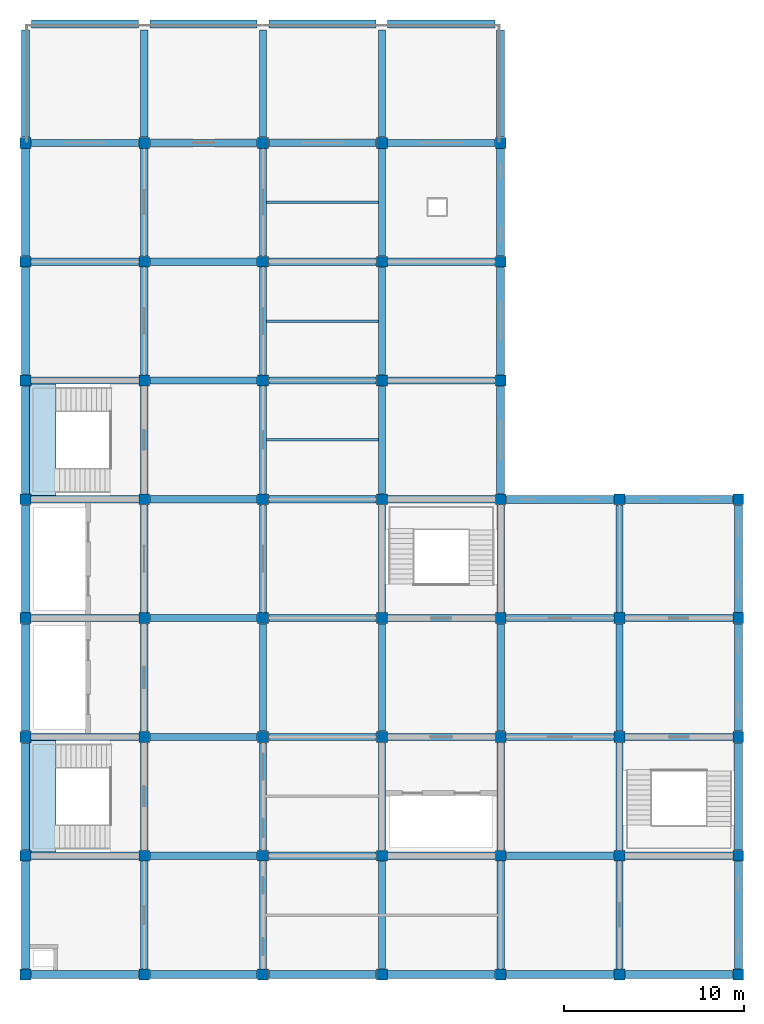
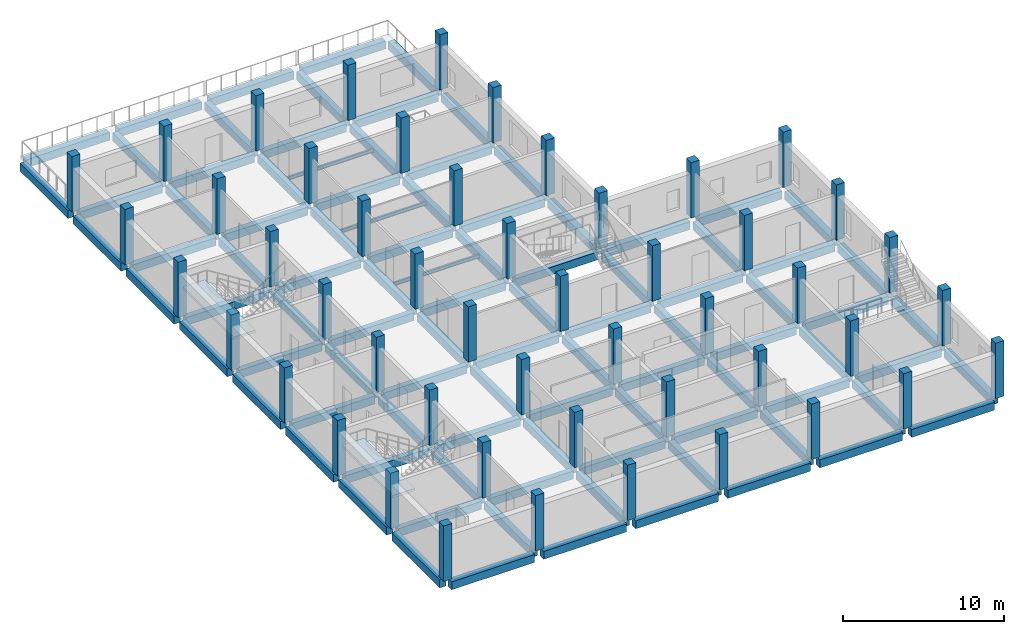
# One storey, part 1 of 7: 97 beams, 50 columns, 2 slabs, 2 elements without a shape of their own.
"""IFC4 building model written with IfcOpenShell, lengths in metres."""

from ifc_helpers import new_model, si_unit, direction, frame, origin, origin_2d, place, context, subcontext, project, spatial, polyline, rectangle, i_section, outline, extrude, material, layer, layer_set, material_profile, profile_set, type_object, element, aggregate, save


model = new_model("IFC4")

# Units and contexts
model_context = context("Model", 3, precision=1e-05, world=origin(), true_north=direction((0.0, 1.0)))
body_context = subcontext(model_context, "Body", "Model", "MODEL_VIEW")
ifc_project = project(units=[si_unit("LENGTHUNIT", "METRE"), si_unit("AREAUNIT", "SQUARE_METRE"), si_unit("VOLUMEUNIT", "CUBIC_METRE"), si_unit("PLANEANGLEUNIT", "RADIAN"), si_unit("MASSUNIT", "GRAM", prefix="KILO")], contexts=[model_context])

# Site, building, storey
site_placement = place(None, origin())
site = spatial("IfcSite", under=ifc_project, at=site_placement, CompositionType="ELEMENT")
building_placement = place(site_placement, origin())
building = spatial("IfcBuilding", under=site, at=building_placement, Name="Rusizi Kubbe Research Institute", CompositionType="ELEMENT")
storey_placement = place(building_placement, frame((0.0, 0.0, 64.800048828125)))
storey = spatial("IfcBuildingStorey", under=building, at=storey_placement, Name="L15", CompositionType="ELEMENT", Elevation=64.800048828125)

# Columns
ifc_material_1 = material(Name="Concrete C40/50", Category="concrete")
ifc_material_profile_1 = material_profile(ifc_material_1, rectangle(XDim=0.60009765625, YDim=0.60009765625, at=origin_2d()), Name="RC600x600")
ifc_profile_set_1 = profile_set([ifc_material_profile_1], Name="Concrete C40/50")
column_type = type_object("IfcColumnType", Name="COL-600", PredefinedType="COLUMN", material=ifc_profile_set_1)
for number, where, z_axis, x_axis, name in (
    (1, (0.0, 0.0, 0.0), (0.0, 0.0, 1.0), (1.0, 0.0, 0.0), "Column 1A L15"),
    (2, (0.0, 6.60009765625, 0.0), (0.0, 0.0, 1.0), (1.0, 0.0, 0.0), "Column 1B L15"),
    (3, (0.0, 13.199951171875, 0.0), (0.0, 0.0, 1.0), (1.0, 0.0, 0.0), "Column 1C L15"),
    (4, (0.0, 19.800048828125, 0.0), (0.0, 0.0, 1.0), (1.0, 0.0, 0.0), "Column 1D L15"),
    (5, (0.0, 26.39990234375, 0.0), (0.0, 0.0, 1.0), (1.0, 0.0, 0.0), "Column 1E L15"),
    (6, (0.0, 33.0, 0.0), (0.0, 0.0, 1.0), (1.0, 0.0, 0.0), "Column 1F L15"),
    (7, (0.0, 39.60009765625, 0.0), (0.0, 0.0, 1.0), (1.0, 0.0, 0.0), "Column 1G L15"),
    (8, (0.0, 46.199951171875, 0.0), (0.0, 0.0, 1.0), (1.0, 0.0, 0.0), "Column 1H L15"),
    (9, (6.60009765625, 0.0, 0.0), (0.0, 0.0, 1.0), (1.0, 0.0, 0.0), "Column 2A L15"),
    (10, (6.60009765625, 6.60009765625, 0.0), (0.0, 0.0, 1.0), (1.0, 0.0, 0.0), "Column 2B L15"),
    (11, (6.60009765625, 13.199951171875, 0.0), (0.0, 0.0, 1.0), (1.0, 0.0, 0.0), "Column 2C L15"),
    (12, (6.60009765625, 19.800048828125, 0.0), (0.0, 0.0, 1.0), (1.0, 0.0, 0.0), "Column 2D L15"),
    (13, (6.60009765625, 26.39990234375, 0.0), (0.0, 0.0, 1.0), (1.0, 0.0, 0.0), "Column 2E L15"),
    (14, (6.60009765625, 33.0, 0.0), (0.0, 0.0, 1.0), (1.0, 0.0, 0.0), "Column 2F L15"),
    (15, (6.60009765625, 39.60009765625, 0.0), (0.0, 0.0, 1.0), (1.0, 0.0, 0.0), "Column 2G L15"),
    (16, (6.60009765625, 46.199951171875, 0.0), (0.0, 0.0, 1.0), (1.0, 0.0, 0.0), "Column 2H L15"),
    (17, (13.199951171875, 0.0, 0.0), (0.0, 0.0, 1.0), (1.0, 0.0, 0.0), "Column 3A L15"),
    (18, (13.199951171875, 6.60009765625, 0.0), (0.0, 0.0, 1.0), (1.0, 0.0, 0.0), "Column 3B L15"),
    (19, (13.199951171875, 13.199951171875, 0.0), (0.0, 0.0, 1.0), (1.0, 0.0, 0.0), "Column 3C L15"),
    (20, (13.199951171875, 19.800048828125, 0.0), (0.0, 0.0, 1.0), (1.0, 0.0, 0.0), "Column 3D L15"),
    (21, (13.199951171875, 26.39990234375, 0.0), (0.0, 0.0, 1.0), (1.0, 0.0, 0.0), "Column 3E L15"),
    (22, (13.199951171875, 33.0, 0.0), (0.0, 0.0, 1.0), (1.0, 0.0, 0.0), "Column 3F L15"),
    (23, (13.199951171875, 39.60009765625, 0.0), (0.0, 0.0, 1.0), (1.0, 0.0, 0.0), "Column 3G L15"),
    (24, (13.199951171875, 46.199951171875, 0.0), (0.0, 0.0, 1.0), (1.0, 0.0, 0.0), "Column 3H L15"),
    (25, (19.800048828125, 0.0, 0.0), (0.0, 0.0, 1.0), (1.0, 0.0, 0.0), "Column 4A L15"),
    (26, (19.800048828125, 6.60009765625, 0.0), (0.0, 0.0, 1.0), (1.0, 0.0, 0.0), "Column 4B L15"),
    (27, (19.800048828125, 13.199951171875, 0.0), (0.0, 0.0, 1.0), (1.0, 0.0, 0.0), "Column 4C L15"),
    (28, (19.800048828125, 19.800048828125, 0.0), (0.0, 0.0, 1.0), (1.0, 0.0, 0.0), "Column 4D L15"),
    (29, (19.800048828125, 26.39990234375, 0.0), (0.0, 0.0, 1.0), (1.0, 0.0, 0.0), "Column 4E L15"),
    (30, (19.800048828125, 33.0, 0.0), (0.0, 0.0, 1.0), (1.0, 0.0, 0.0), "Column 4F L15"),
    (31, (19.800048828125, 39.60009765625, 0.0), (0.0, 0.0, 1.0), (1.0, 0.0, 0.0), "Column 4G L15"),
    (32, (19.800048828125, 46.199951171875, 0.0), (0.0, 0.0, 1.0), (1.0, 0.0, 0.0), "Column 4H L15"),
    (33, (26.39990234375, 0.0, 0.0), (0.0, 0.0, 1.0), (1.0, 0.0, 0.0), "Column 5A L15"),
    (34, (26.39990234375, 6.60009765625, 0.0), (0.0, 0.0, 1.0), (1.0, 0.0, 0.0), "Column 5B L15"),
    (35, (26.39990234375, 13.199951171875, 0.0), (0.0, 0.0, 1.0), (1.0, 0.0, 0.0), "Column 5C L15"),
    (36, (26.39990234375, 19.800048828125, 0.0), (0.0, 0.0, 1.0), (1.0, 0.0, 0.0), "Column 5D L15"),
    (37, (26.39990234375, 26.39990234375, 0.0), (0.0, 0.0, 1.0), (1.0, 0.0, 0.0), "Column 5E L15"),
    (38, (26.39990234375, 33.0, 0.0), (0.0, 0.0, 1.0), (1.0, 0.0, 0.0), "Column 5F L15"),
    (39, (26.39990234375, 39.60009765625, 0.0), (0.0, 0.0, 1.0), (1.0, 0.0, 0.0), "Column 5G L15"),
    (40, (26.39990234375, 46.199951171875, 0.0), (0.0, 0.0, 1.0), (1.0, 0.0, 0.0), "Column 5H L15"),
    (41, (33.0, 0.0, 0.0), (0.0, 0.0, 1.0), (1.0, 0.0, 0.0), "Column 6A L15"),
    (42, (33.0, 6.60009765625, 0.0), (0.0, 0.0, 1.0), (1.0, 0.0, 0.0), "Column 6B L15"),
    (43, (33.0, 13.199951171875, 0.0), (0.0, 0.0, 1.0), (1.0, 0.0, 0.0), "Column 6C L15"),
    (44, (33.0, 19.800048828125, 0.0), (0.0, 0.0, 1.0), (1.0, 0.0, 0.0), "Column 6D L15"),
    (45, (33.0, 26.39990234375, 0.0), (0.0, 0.0, 1.0), (1.0, 0.0, 0.0), "Column 6E L15"),
    (46, (39.60009765625, 0.0, 0.0), (0.0, 0.0, 1.0), (1.0, 0.0, 0.0), "Column 7A L15"),
    (47, (39.60009765625, 6.60009765625, 0.0), (0.0, 0.0, 1.0), (1.0, 0.0, 0.0), "Column 7B L15"),
    (48, (39.60009765625, 13.199951171875, 0.0), (0.0, 0.0, 1.0), (1.0, 0.0, 0.0), "Column 7C L15"),
    (49, (39.60009765625, 19.800048828125, 0.0), (0.0, 0.0, 1.0), (1.0, 0.0, 0.0), "Column 7D L15"),
    (50, (39.60009765625, 26.39990234375, 0.0), (0.0, 0.0, 1.0), (1.0, 0.0, 0.0), "Column 7E L15"),
):
    element("IfcColumn", number, at=place(storey_placement, frame(where, z_axis=z_axis, x_axis=x_axis)), inside=storey, type_object=column_type, Name=name, PredefinedType="COLUMN", context=body_context, shape_type="SweptSolid", body=[
        extrude(rectangle(XDim=0.60009765625, YDim=0.60009765625, at=origin_2d()), origin(), (0.0, 0.0, 1.0), 4.199951171875),
    ])

# Beams
ifc_material_2 = material(Name="Steel S355", Category="steel")
ifc_material_profile_2 = material_profile(ifc_material_2, i_section(OverallWidth=0.135009765625, OverallDepth=0.27001953125, WebThickness=0.006591796875, FlangeThickness=0.01025390625, at=origin_2d()), Name="IPE 270")
ifc_profile_set_2 = profile_set([ifc_material_profile_2], Name="Steel S355")
beam_type_1 = type_object("IfcBeamType", Name="BM-IPE270", PredefinedType="JOIST", material=ifc_profile_set_2)
for number, where, z_axis, x_axis, name in (
    (51, (13.39990234375, 29.699951171875, -0.425048828125), (1.0, 0.0, 0.0), (0.0, 1.0, 0.0), "Lab Stiffener Joist L15 (2,4)"),
    (52, (13.39990234375, 36.300048828125, -0.425048828125), (1.0, 0.0, 0.0), (0.0, 1.0, 0.0), "Lab Stiffener Joist L15 (2,5)"),
    (53, (13.39990234375, 42.89990234375, -0.425048828125), (1.0, 0.0, 0.0), (0.0, 1.0, 0.0), "Lab Stiffener Joist L15 (2,6)"),
):
    element("IfcBeam", number, at=place(storey_placement, frame(where, z_axis=z_axis, x_axis=x_axis)), inside=storey, type_object=beam_type_1, Name=name, PredefinedType="JOIST", context=body_context, shape_type="SweptSolid", body=[
        extrude(i_section(OverallWidth=0.135009765625, OverallDepth=0.27001953125, WebThickness=0.006591796875, FlangeThickness=0.01025390625, at=origin_2d()), origin(), (0.0, 0.0, 1.0), 6.2001953125),
    ])
ifc_material_3 = material(Name="Concrete C40/50", Category="concrete")
ifc_material_profile_3 = material_profile(ifc_material_3, rectangle(XDim=0.39990234375, YDim=0.60009765625, at=origin_2d()), Name="RC400x600")
ifc_profile_set_3 = profile_set([ifc_material_profile_3], Name="Concrete C40/50")
beam_type_2 = type_object("IfcBeamType", Name="BM-RC400x600", PredefinedType="BEAM", material=ifc_profile_set_3)
for number, where, z_axis, x_axis, name in (
    (54, (0.324951171875, 6.60009765625, -0.590087890625), (1.0, 0.0, 0.0), (0.0, 1.0, 0.0), "Grid Beam H L15 (0,1)"),
    (55, (0.324951171875, 13.199951171875, -0.590087890625), (1.0, 0.0, 0.0), (0.0, 1.0, 0.0), "Grid Beam H L15 (0,2)"),
    (56, (0.324951171875, 19.800048828125, -0.590087890625), (1.0, 0.0, 0.0), (0.0, 1.0, 0.0), "Grid Beam H L15 (0,3)"),
    (57, (0.324951171875, 26.39990234375, -0.590087890625), (1.0, 0.0, 0.0), (0.0, 1.0, 0.0), "Grid Beam H L15 (0,4)"),
    (58, (0.324951171875, 33.0, -0.590087890625), (1.0, 0.0, 0.0), (0.0, 1.0, 0.0), "Grid Beam H L15 (0,5)"),
    (59, (0.324951171875, 39.60009765625, -0.590087890625), (1.0, 0.0, 0.0), (0.0, 1.0, 0.0), "Grid Beam H L15 (0,6)"),
    (60, (0.324951171875, 46.199951171875, -0.590087890625), (1.0, 0.0, 0.0), (0.0, 1.0, 0.0), "Grid Beam H L15 (0,7)"),
    (61, (6.925048828125, 6.60009765625, -0.590087890625), (1.0, 0.0, 0.0), (0.0, 1.0, 0.0), "Grid Beam H L15 (1,1)"),
    (62, (6.925048828125, 13.199951171875, -0.590087890625), (1.0, 0.0, 0.0), (0.0, 1.0, 0.0), "Grid Beam H L15 (1,2)"),
    (63, (6.925048828125, 19.800048828125, -0.590087890625), (1.0, 0.0, 0.0), (0.0, 1.0, 0.0), "Grid Beam H L15 (1,3)"),
    (64, (6.925048828125, 26.39990234375, -0.590087890625), (1.0, 0.0, 0.0), (0.0, 1.0, 0.0), "Grid Beam H L15 (1,4)"),
    (65, (6.925048828125, 33.0, -0.590087890625), (1.0, 0.0, 0.0), (0.0, 1.0, 0.0), "Grid Beam H L15 (1,5)"),
    (66, (6.925048828125, 39.60009765625, -0.590087890625), (1.0, 0.0, 0.0), (0.0, 1.0, 0.0), "Grid Beam H L15 (1,6)"),
    (67, (6.925048828125, 46.199951171875, -0.590087890625), (1.0, 0.0, 0.0), (0.0, 1.0, 0.0), "Grid Beam H L15 (1,7)"),
):
    element("IfcBeam", number, at=place(storey_placement, frame(where, z_axis=z_axis, x_axis=x_axis)), inside=storey, type_object=beam_type_2, Name=name, PredefinedType="BEAM", context=body_context, shape_type="SweptSolid", body=[
        extrude(rectangle(XDim=0.39990234375, YDim=0.60009765625, at=origin_2d()), origin(), (0.0, 0.0, 1.0), 5.949951171875),
    ])
for number, where, z_axis, x_axis, name in (
    (68, (13.52490234375, 6.60009765625, -0.590087890625), (1.0, 0.0, 0.0), (0.0, 1.0, 0.0), "Grid Beam H L15 (2,1)"),
    (69, (13.52490234375, 13.199951171875, -0.590087890625), (1.0, 0.0, 0.0), (0.0, 1.0, 0.0), "Grid Beam H L15 (2,2)"),
    (70, (13.52490234375, 19.800048828125, -0.590087890625), (1.0, 0.0, 0.0), (0.0, 1.0, 0.0), "Grid Beam H L15 (2,3)"),
    (71, (13.52490234375, 26.39990234375, -0.590087890625), (1.0, 0.0, 0.0), (0.0, 1.0, 0.0), "Grid Beam H L15 (2,4)"),
    (72, (13.52490234375, 33.0, -0.590087890625), (1.0, 0.0, 0.0), (0.0, 1.0, 0.0), "Grid Beam H L15 (2,5)"),
    (73, (13.52490234375, 39.60009765625, -0.590087890625), (1.0, 0.0, 0.0), (0.0, 1.0, 0.0), "Grid Beam H L15 (2,6)"),
    (74, (13.52490234375, 46.199951171875, -0.590087890625), (1.0, 0.0, 0.0), (0.0, 1.0, 0.0), "Grid Beam H L15 (2,7)"),
):
    element("IfcBeam", number, at=place(storey_placement, frame(where, z_axis=z_axis, x_axis=x_axis)), inside=storey, type_object=beam_type_2, Name=name, PredefinedType="BEAM", context=body_context, shape_type="SweptSolid", body=[
        extrude(rectangle(XDim=0.39990234375, YDim=0.60009765625, at=origin_2d()), origin(), (0.0, 0.0, 1.0), 5.9501953125),
    ])
for number, where, z_axis, x_axis, name in (
    (75, (20.125, 6.60009765625, -0.590087890625), (1.0, 0.0, 0.0), (0.0, 1.0, 0.0), "Grid Beam H L15 (3,1)"),
    (76, (20.125, 13.199951171875, -0.590087890625), (1.0, 0.0, 0.0), (0.0, 1.0, 0.0), "Grid Beam H L15 (3,2)"),
    (77, (20.125, 19.800048828125, -0.590087890625), (1.0, 0.0, 0.0), (0.0, 1.0, 0.0), "Grid Beam H L15 (3,3)"),
    (78, (20.125, 26.39990234375, -0.590087890625), (1.0, 0.0, 0.0), (0.0, 1.0, 0.0), "Grid Beam H L15 (3,4)"),
    (79, (20.125, 33.0, -0.590087890625), (1.0, 0.0, 0.0), (0.0, 1.0, 0.0), "Grid Beam H L15 (3,5)"),
    (80, (20.125, 39.60009765625, -0.590087890625), (1.0, 0.0, 0.0), (0.0, 1.0, 0.0), "Grid Beam H L15 (3,6)"),
    (81, (20.125, 46.199951171875, -0.590087890625), (1.0, 0.0, 0.0), (0.0, 1.0, 0.0), "Grid Beam H L15 (3,7)"),
    (82, (26.72509765625, 6.60009765625, -0.590087890625), (1.0, 0.0, 0.0), (0.0, 1.0, 0.0), "Grid Beam H L15 (4,1)"),
    (83, (26.72509765625, 13.199951171875, -0.590087890625), (1.0, 0.0, 0.0), (0.0, 1.0, 0.0), "Grid Beam H L15 (4,2)"),
    (84, (26.72509765625, 19.800048828125, -0.590087890625), (1.0, 0.0, 0.0), (0.0, 1.0, 0.0), "Grid Beam H L15 (4,3)"),
    (85, (33.324951171875, 6.60009765625, -0.590087890625), (1.0, 0.0, 0.0), (0.0, 1.0, 0.0), "Grid Beam H L15 (5,1)"),
    (86, (33.324951171875, 13.199951171875, -0.590087890625), (1.0, 0.0, 0.0), (0.0, 1.0, 0.0), "Grid Beam H L15 (5,2)"),
    (87, (33.324951171875, 19.800048828125, -0.590087890625), (1.0, 0.0, 0.0), (0.0, 1.0, 0.0), "Grid Beam H L15 (5,3)"),
    (88, (6.60009765625, 0.324951171875, -0.590087890625), (0.0, 1.0, 0.0), (-1.0, 0.0, 0.0), "Grid Beam V L15 (1,0)"),
    (89, (6.60009765625, 6.925048828125, -0.590087890625), (0.0, 1.0, 0.0), (-1.0, 0.0, 0.0), "Grid Beam V L15 (1,1)"),
):
    element("IfcBeam", number, at=place(storey_placement, frame(where, z_axis=z_axis, x_axis=x_axis)), inside=storey, type_object=beam_type_2, Name=name, PredefinedType="BEAM", context=body_context, shape_type="SweptSolid", body=[
        extrude(rectangle(XDim=0.39990234375, YDim=0.60009765625, at=origin_2d()), origin(), (0.0, 0.0, 1.0), 5.949951171875),
    ])
beam_1_placement = place(storey_placement, frame((6.60009765625, 13.52490234375, -0.590087890625), z_axis=(0.0, 1.0, 0.0), x_axis=(-1.0, 0.0, 0.0)))
element("IfcBeam", 90, at=beam_1_placement, inside=storey, type_object=beam_type_2, Name="Grid Beam V L15 (1,2)", PredefinedType="BEAM", context=body_context, shape_type="SweptSolid", body=[
    extrude(rectangle(XDim=0.39990234375, YDim=0.60009765625, at=origin_2d()), origin(), (0.0, 0.0, 1.0), 5.9501953125),
])
for number, where, z_axis, x_axis, name in (
    (91, (6.60009765625, 20.125, -0.590087890625), (0.0, 1.0, 0.0), (-1.0, 0.0, 0.0), "Grid Beam V L15 (1,3)"),
    (92, (6.60009765625, 26.72509765625, -0.590087890625), (0.0, 1.0, 0.0), (-1.0, 0.0, 0.0), "Grid Beam V L15 (1,4)"),
    (93, (6.60009765625, 33.324951171875, -0.590087890625), (0.0, 1.0, 0.0), (-1.0, 0.0, 0.0), "Grid Beam V L15 (1,5)"),
    (94, (6.60009765625, 39.925048828125, -0.590087890625), (0.0, 1.0, 0.0), (-1.0, 0.0, 0.0), "Grid Beam V L15 (1,6)"),
):
    element("IfcBeam", number, at=place(storey_placement, frame(where, z_axis=z_axis, x_axis=x_axis)), inside=storey, type_object=beam_type_2, Name=name, PredefinedType="BEAM", context=body_context, shape_type="SweptSolid", body=[
        extrude(rectangle(XDim=0.39990234375, YDim=0.60009765625, at=origin_2d()), origin(), (0.0, 0.0, 1.0), 5.949951171875),
    ])
beam_2_placement = place(storey_placement, frame((6.60009765625, 46.52490234375, -0.590087890625), z_axis=(0.0, 1.0, 0.0), x_axis=(-1.0, 0.0, 0.0)))
element("IfcBeam", 95, at=beam_2_placement, inside=storey, type_object=beam_type_2, Name="Grid Beam V L15 (1,7)", PredefinedType="BEAM", context=body_context, shape_type="SweptSolid", body=[
    extrude(rectangle(XDim=0.39990234375, YDim=0.60009765625, at=origin_2d()), origin(), (0.0, 0.0, 1.0), 5.9501953125),
])
for number, where, z_axis, x_axis, name in (
    (96, (13.199951171875, 0.324951171875, -0.590087890625), (0.0, 1.0, 0.0), (-1.0, 0.0, 0.0), "Grid Beam V L15 (2,0)"),
    (97, (13.199951171875, 6.925048828125, -0.590087890625), (0.0, 1.0, 0.0), (-1.0, 0.0, 0.0), "Grid Beam V L15 (2,1)"),
):
    element("IfcBeam", number, at=place(storey_placement, frame(where, z_axis=z_axis, x_axis=x_axis)), inside=storey, type_object=beam_type_2, Name=name, PredefinedType="BEAM", context=body_context, shape_type="SweptSolid", body=[
        extrude(rectangle(XDim=0.39990234375, YDim=0.60009765625, at=origin_2d()), origin(), (0.0, 0.0, 1.0), 5.949951171875),
    ])
beam_3_placement = place(storey_placement, frame((13.199951171875, 13.52490234375, -0.590087890625), z_axis=(0.0, 1.0, 0.0), x_axis=(-1.0, 0.0, 0.0)))
element("IfcBeam", 98, at=beam_3_placement, inside=storey, type_object=beam_type_2, Name="Grid Beam V L15 (2,2)", PredefinedType="BEAM", context=body_context, shape_type="SweptSolid", body=[
    extrude(rectangle(XDim=0.39990234375, YDim=0.60009765625, at=origin_2d()), origin(), (0.0, 0.0, 1.0), 5.9501953125),
])
for number, where, z_axis, x_axis, name in (
    (99, (13.199951171875, 20.125, -0.590087890625), (0.0, 1.0, 0.0), (-1.0, 0.0, 0.0), "Grid Beam V L15 (2,3)"),
    (100, (13.199951171875, 26.72509765625, -0.590087890625), (0.0, 1.0, 0.0), (-1.0, 0.0, 0.0), "Grid Beam V L15 (2,4)"),
    (101, (13.199951171875, 33.324951171875, -0.590087890625), (0.0, 1.0, 0.0), (-1.0, 0.0, 0.0), "Grid Beam V L15 (2,5)"),
    (102, (13.199951171875, 39.925048828125, -0.590087890625), (0.0, 1.0, 0.0), (-1.0, 0.0, 0.0), "Grid Beam V L15 (2,6)"),
):
    element("IfcBeam", number, at=place(storey_placement, frame(where, z_axis=z_axis, x_axis=x_axis)), inside=storey, type_object=beam_type_2, Name=name, PredefinedType="BEAM", context=body_context, shape_type="SweptSolid", body=[
        extrude(rectangle(XDim=0.39990234375, YDim=0.60009765625, at=origin_2d()), origin(), (0.0, 0.0, 1.0), 5.949951171875),
    ])
beam_4_placement = place(storey_placement, frame((13.199951171875, 46.52490234375, -0.590087890625), z_axis=(0.0, 1.0, 0.0), x_axis=(-1.0, 0.0, 0.0)))
element("IfcBeam", 103, at=beam_4_placement, inside=storey, type_object=beam_type_2, Name="Grid Beam V L15 (2,7)", PredefinedType="BEAM", context=body_context, shape_type="SweptSolid", body=[
    extrude(rectangle(XDim=0.39990234375, YDim=0.60009765625, at=origin_2d()), origin(), (0.0, 0.0, 1.0), 5.9501953125),
])
for number, where, z_axis, x_axis, name in (
    (104, (19.800048828125, 0.324951171875, -0.590087890625), (0.0, 1.0, 0.0), (-1.0, 0.0, 0.0), "Grid Beam V L15 (3,0)"),
    (105, (19.800048828125, 6.925048828125, -0.590087890625), (0.0, 1.0, 0.0), (-1.0, 0.0, 0.0), "Grid Beam V L15 (3,1)"),
):
    element("IfcBeam", number, at=place(storey_placement, frame(where, z_axis=z_axis, x_axis=x_axis)), inside=storey, type_object=beam_type_2, Name=name, PredefinedType="BEAM", context=body_context, shape_type="SweptSolid", body=[
        extrude(rectangle(XDim=0.39990234375, YDim=0.60009765625, at=origin_2d()), origin(), (0.0, 0.0, 1.0), 5.949951171875),
    ])
beam_5_placement = place(storey_placement, frame((19.800048828125, 13.52490234375, -0.590087890625), z_axis=(0.0, 1.0, 0.0), x_axis=(-1.0, 0.0, 0.0)))
element("IfcBeam", 106, at=beam_5_placement, inside=storey, type_object=beam_type_2, Name="Grid Beam V L15 (3,2)", PredefinedType="BEAM", context=body_context, shape_type="SweptSolid", body=[
    extrude(rectangle(XDim=0.39990234375, YDim=0.60009765625, at=origin_2d()), origin(), (0.0, 0.0, 1.0), 5.9501953125),
])
for number, where, z_axis, x_axis, name in (
    (107, (19.800048828125, 20.125, -0.590087890625), (0.0, 1.0, 0.0), (-1.0, 0.0, 0.0), "Grid Beam V L15 (3,3)"),
    (108, (19.800048828125, 26.72509765625, -0.590087890625), (0.0, 1.0, 0.0), (-1.0, 0.0, 0.0), "Grid Beam V L15 (3,4)"),
    (109, (19.800048828125, 33.324951171875, -0.590087890625), (0.0, 1.0, 0.0), (-1.0, 0.0, 0.0), "Grid Beam V L15 (3,5)"),
    (110, (19.800048828125, 39.925048828125, -0.590087890625), (0.0, 1.0, 0.0), (-1.0, 0.0, 0.0), "Grid Beam V L15 (3,6)"),
):
    element("IfcBeam", number, at=place(storey_placement, frame(where, z_axis=z_axis, x_axis=x_axis)), inside=storey, type_object=beam_type_2, Name=name, PredefinedType="BEAM", context=body_context, shape_type="SweptSolid", body=[
        extrude(rectangle(XDim=0.39990234375, YDim=0.60009765625, at=origin_2d()), origin(), (0.0, 0.0, 1.0), 5.949951171875),
    ])
beam_6_placement = place(storey_placement, frame((19.800048828125, 46.52490234375, -0.590087890625), z_axis=(0.0, 1.0, 0.0), x_axis=(-1.0, 0.0, 0.0)))
element("IfcBeam", 111, at=beam_6_placement, inside=storey, type_object=beam_type_2, Name="Grid Beam V L15 (3,7)", PredefinedType="BEAM", context=body_context, shape_type="SweptSolid", body=[
    extrude(rectangle(XDim=0.39990234375, YDim=0.60009765625, at=origin_2d()), origin(), (0.0, 0.0, 1.0), 5.9501953125),
])
for number, where, z_axis, x_axis, name in (
    (112, (26.39990234375, 0.324951171875, -0.590087890625), (0.0, 1.0, 0.0), (-1.0, 0.0, 0.0), "Grid Beam V L15 (4,0)"),
    (113, (26.39990234375, 6.925048828125, -0.590087890625), (0.0, 1.0, 0.0), (-1.0, 0.0, 0.0), "Grid Beam V L15 (4,1)"),
):
    element("IfcBeam", number, at=place(storey_placement, frame(where, z_axis=z_axis, x_axis=x_axis)), inside=storey, type_object=beam_type_2, Name=name, PredefinedType="BEAM", context=body_context, shape_type="SweptSolid", body=[
        extrude(rectangle(XDim=0.39990234375, YDim=0.60009765625, at=origin_2d()), origin(), (0.0, 0.0, 1.0), 5.949951171875),
    ])
beam_7_placement = place(storey_placement, frame((26.39990234375, 13.52490234375, -0.590087890625), z_axis=(0.0, 1.0, 0.0), x_axis=(-1.0, 0.0, 0.0)))
element("IfcBeam", 114, at=beam_7_placement, inside=storey, type_object=beam_type_2, Name="Grid Beam V L15 (4,2)", PredefinedType="BEAM", context=body_context, shape_type="SweptSolid", body=[
    extrude(rectangle(XDim=0.39990234375, YDim=0.60009765625, at=origin_2d()), origin(), (0.0, 0.0, 1.0), 5.9501953125),
])
for number, where, z_axis, x_axis, name in (
    (115, (26.39990234375, 20.125, -0.590087890625), (0.0, 1.0, 0.0), (-1.0, 0.0, 0.0), "Grid Beam V L15 (4,3)"),
    (116, (33.0, 0.324951171875, -0.590087890625), (0.0, 1.0, 0.0), (-1.0, 0.0, 0.0), "Grid Beam V L15 (5,0)"),
    (117, (33.0, 6.925048828125, -0.590087890625), (0.0, 1.0, 0.0), (-1.0, 0.0, 0.0), "Grid Beam V L15 (5,1)"),
):
    element("IfcBeam", number, at=place(storey_placement, frame(where, z_axis=z_axis, x_axis=x_axis)), inside=storey, type_object=beam_type_2, Name=name, PredefinedType="BEAM", context=body_context, shape_type="SweptSolid", body=[
        extrude(rectangle(XDim=0.39990234375, YDim=0.60009765625, at=origin_2d()), origin(), (0.0, 0.0, 1.0), 5.949951171875),
    ])
beam_8_placement = place(storey_placement, frame((33.0, 13.52490234375, -0.590087890625), z_axis=(0.0, 1.0, 0.0), x_axis=(-1.0, 0.0, 0.0)))
element("IfcBeam", 118, at=beam_8_placement, inside=storey, type_object=beam_type_2, Name="Grid Beam V L15 (5,2)", PredefinedType="BEAM", context=body_context, shape_type="SweptSolid", body=[
    extrude(rectangle(XDim=0.39990234375, YDim=0.60009765625, at=origin_2d()), origin(), (0.0, 0.0, 1.0), 5.9501953125),
])
beam_9_placement = place(storey_placement, frame((33.0, 20.125, -0.590087890625), z_axis=(0.0, 1.0, 0.0), x_axis=(-1.0, 0.0, 0.0)))
element("IfcBeam", 119, at=beam_9_placement, inside=storey, type_object=beam_type_2, Name="Grid Beam V L15 (5,3)", PredefinedType="BEAM", context=body_context, shape_type="SweptSolid", body=[
    extrude(rectangle(XDim=0.39990234375, YDim=0.60009765625, at=origin_2d()), origin(), (0.0, 0.0, 1.0), 5.949951171875),
])
ifc_material_4 = material(Name="Concrete C40/50", Category="concrete")
ifc_material_profile_4 = material_profile(ifc_material_4, rectangle(XDim=0.449951171875, YDim=0.60009765625, at=origin_2d()), Name="RC450x600")
ifc_profile_set_4 = profile_set([ifc_material_profile_4], Name="Concrete C40/50")
beam_type_3 = type_object("IfcBeamType", Name="BM-RC450x600", PredefinedType="SPANDREL", material=ifc_profile_set_4)
for number, where, z_axis, x_axis, name in (
    (120, (0.324951171875, 0.0, -0.590087890625), (1.0, 0.0, 0.0), (0.0, 1.0, 0.0), "Grid Beam H L15 (0,0)"),
    (121, (0.324951171875, 52.800048828125, -0.590087890625), (1.0, 0.0, 0.0), (0.0, 1.0, 0.0), "Grid Beam H L15 (0,8)"),
    (122, (6.925048828125, 0.0, -0.590087890625), (1.0, 0.0, 0.0), (0.0, 1.0, 0.0), "Grid Beam H L15 (1,0)"),
    (123, (6.925048828125, 52.800048828125, -0.590087890625), (1.0, 0.0, 0.0), (0.0, 1.0, 0.0), "Grid Beam H L15 (1,8)"),
):
    element("IfcBeam", number, at=place(storey_placement, frame(where, z_axis=z_axis, x_axis=x_axis)), inside=storey, type_object=beam_type_3, Name=name, PredefinedType="SPANDREL", context=body_context, shape_type="SweptSolid", body=[
        extrude(rectangle(XDim=0.449951171875, YDim=0.60009765625, at=origin_2d()), origin(), (0.0, 0.0, 1.0), 5.949951171875),
    ])
for number, where, z_axis, x_axis, name in (
    (124, (13.52490234375, 0.0, -0.590087890625), (1.0, 0.0, 0.0), (0.0, 1.0, 0.0), "Grid Beam H L15 (2,0)"),
    (125, (13.52490234375, 52.800048828125, -0.590087890625), (1.0, 0.0, 0.0), (0.0, 1.0, 0.0), "Grid Beam H L15 (2,8)"),
):
    element("IfcBeam", number, at=place(storey_placement, frame(where, z_axis=z_axis, x_axis=x_axis)), inside=storey, type_object=beam_type_3, Name=name, PredefinedType="SPANDREL", context=body_context, shape_type="SweptSolid", body=[
        extrude(rectangle(XDim=0.449951171875, YDim=0.60009765625, at=origin_2d()), origin(), (0.0, 0.0, 1.0), 5.9501953125),
    ])
for number, where, z_axis, x_axis, name in (
    (126, (20.125, 0.0, -0.590087890625), (1.0, 0.0, 0.0), (0.0, 1.0, 0.0), "Grid Beam H L15 (3,0)"),
    (127, (20.125, 52.800048828125, -0.590087890625), (1.0, 0.0, 0.0), (0.0, 1.0, 0.0), "Grid Beam H L15 (3,8)"),
    (128, (26.72509765625, 0.0, -0.590087890625), (1.0, 0.0, 0.0), (0.0, 1.0, 0.0), "Grid Beam H L15 (4,0)"),
    (129, (26.72509765625, 26.39990234375, -0.590087890625), (1.0, 0.0, 0.0), (0.0, 1.0, 0.0), "Grid Beam H L15 (4,4)"),
    (130, (33.324951171875, 0.0, -0.590087890625), (1.0, 0.0, 0.0), (0.0, 1.0, 0.0), "Grid Beam H L15 (5,0)"),
    (131, (33.324951171875, 26.39990234375, -0.590087890625), (1.0, 0.0, 0.0), (0.0, 1.0, 0.0), "Grid Beam H L15 (5,4)"),
    (132, (0.0, 0.324951171875, -0.590087890625), (0.0, 1.0, 0.0), (-1.0, 0.0, 0.0), "Grid Beam V L15 (0,0)"),
    (133, (0.0, 6.925048828125, -0.590087890625), (0.0, 1.0, 0.0), (-1.0, 0.0, 0.0), "Grid Beam V L15 (0,1)"),
):
    element("IfcBeam", number, at=place(storey_placement, frame(where, z_axis=z_axis, x_axis=x_axis)), inside=storey, type_object=beam_type_3, Name=name, PredefinedType="SPANDREL", context=body_context, shape_type="SweptSolid", body=[
        extrude(rectangle(XDim=0.449951171875, YDim=0.60009765625, at=origin_2d()), origin(), (0.0, 0.0, 1.0), 5.949951171875),
    ])
beam_10_placement = place(storey_placement, frame((0.0, 13.52490234375, -0.590087890625), z_axis=(0.0, 1.0, 0.0), x_axis=(-1.0, 0.0, 0.0)))
element("IfcBeam", 134, at=beam_10_placement, inside=storey, type_object=beam_type_3, Name="Grid Beam V L15 (0,2)", PredefinedType="SPANDREL", context=body_context, shape_type="SweptSolid", body=[
    extrude(rectangle(XDim=0.449951171875, YDim=0.60009765625, at=origin_2d()), origin(), (0.0, 0.0, 1.0), 5.9501953125),
])
for number, where, z_axis, x_axis, name in (
    (135, (0.0, 20.125, -0.590087890625), (0.0, 1.0, 0.0), (-1.0, 0.0, 0.0), "Grid Beam V L15 (0,3)"),
    (136, (0.0, 26.72509765625, -0.590087890625), (0.0, 1.0, 0.0), (-1.0, 0.0, 0.0), "Grid Beam V L15 (0,4)"),
    (137, (0.0, 33.324951171875, -0.590087890625), (0.0, 1.0, 0.0), (-1.0, 0.0, 0.0), "Grid Beam V L15 (0,5)"),
    (138, (0.0, 39.925048828125, -0.590087890625), (0.0, 1.0, 0.0), (-1.0, 0.0, 0.0), "Grid Beam V L15 (0,6)"),
):
    element("IfcBeam", number, at=place(storey_placement, frame(where, z_axis=z_axis, x_axis=x_axis)), inside=storey, type_object=beam_type_3, Name=name, PredefinedType="SPANDREL", context=body_context, shape_type="SweptSolid", body=[
        extrude(rectangle(XDim=0.449951171875, YDim=0.60009765625, at=origin_2d()), origin(), (0.0, 0.0, 1.0), 5.949951171875),
    ])
beam_11_placement = place(storey_placement, frame((0.0, 46.52490234375, -0.590087890625), z_axis=(0.0, 1.0, 0.0), x_axis=(-1.0, 0.0, 0.0)))
element("IfcBeam", 139, at=beam_11_placement, inside=storey, type_object=beam_type_3, Name="Grid Beam V L15 (0,7)", PredefinedType="SPANDREL", context=body_context, shape_type="SweptSolid", body=[
    extrude(rectangle(XDim=0.449951171875, YDim=0.60009765625, at=origin_2d()), origin(), (0.0, 0.0, 1.0), 5.9501953125),
])
for number, where, z_axis, x_axis, name in (
    (140, (26.39990234375, 26.72509765625, -0.590087890625), (0.0, 1.0, 0.0), (-1.0, 0.0, 0.0), "Grid Beam V L15 (4,4)"),
    (141, (26.39990234375, 33.324951171875, -0.590087890625), (0.0, 1.0, 0.0), (-1.0, 0.0, 0.0), "Grid Beam V L15 (4,5)"),
    (142, (26.39990234375, 39.925048828125, -0.590087890625), (0.0, 1.0, 0.0), (-1.0, 0.0, 0.0), "Grid Beam V L15 (4,6)"),
):
    element("IfcBeam", number, at=place(storey_placement, frame(where, z_axis=z_axis, x_axis=x_axis)), inside=storey, type_object=beam_type_3, Name=name, PredefinedType="SPANDREL", context=body_context, shape_type="SweptSolid", body=[
        extrude(rectangle(XDim=0.449951171875, YDim=0.60009765625, at=origin_2d()), origin(), (0.0, 0.0, 1.0), 5.949951171875),
    ])
beam_12_placement = place(storey_placement, frame((26.39990234375, 46.52490234375, -0.590087890625), z_axis=(0.0, 1.0, 0.0), x_axis=(-1.0, 0.0, 0.0)))
element("IfcBeam", 143, at=beam_12_placement, inside=storey, type_object=beam_type_3, Name="Grid Beam V L15 (4,7)", PredefinedType="SPANDREL", context=body_context, shape_type="SweptSolid", body=[
    extrude(rectangle(XDim=0.449951171875, YDim=0.60009765625, at=origin_2d()), origin(), (0.0, 0.0, 1.0), 5.9501953125),
])
for number, where, z_axis, x_axis, name in (
    (144, (39.60009765625, 0.324951171875, -0.590087890625), (0.0, 1.0, 0.0), (-1.0, 0.0, 0.0), "Grid Beam V L15 (6,0)"),
    (145, (39.60009765625, 6.925048828125, -0.590087890625), (0.0, 1.0, 0.0), (-1.0, 0.0, 0.0), "Grid Beam V L15 (6,1)"),
):
    element("IfcBeam", number, at=place(storey_placement, frame(where, z_axis=z_axis, x_axis=x_axis)), inside=storey, type_object=beam_type_3, Name=name, PredefinedType="SPANDREL", context=body_context, shape_type="SweptSolid", body=[
        extrude(rectangle(XDim=0.449951171875, YDim=0.60009765625, at=origin_2d()), origin(), (0.0, 0.0, 1.0), 5.949951171875),
    ])
beam_13_placement = place(storey_placement, frame((39.60009765625, 13.52490234375, -0.590087890625), z_axis=(0.0, 1.0, 0.0), x_axis=(-1.0, 0.0, 0.0)))
element("IfcBeam", 146, at=beam_13_placement, inside=storey, type_object=beam_type_3, Name="Grid Beam V L15 (6,2)", PredefinedType="SPANDREL", context=body_context, shape_type="SweptSolid", body=[
    extrude(rectangle(XDim=0.449951171875, YDim=0.60009765625, at=origin_2d()), origin(), (0.0, 0.0, 1.0), 5.9501953125),
])
beam_14_placement = place(storey_placement, frame((39.60009765625, 20.125, -0.590087890625), z_axis=(0.0, 1.0, 0.0), x_axis=(-1.0, 0.0, 0.0)))
element("IfcBeam", 147, at=beam_14_placement, inside=storey, type_object=beam_type_3, Name="Grid Beam V L15 (6,3)", PredefinedType="SPANDREL", context=body_context, shape_type="SweptSolid", body=[
    extrude(rectangle(XDim=0.449951171875, YDim=0.60009765625, at=origin_2d()), origin(), (0.0, 0.0, 1.0), 5.949951171875),
])

# Stair, slab
ifc_material_5 = material(Name="Concrete C40/50", Category="concrete")
stair_type = type_object("IfcStairType", Name="ST-H420A", PredefinedType="HALF_TURN_STAIR", material=ifc_material_5)
stair_1_placement = place(storey_placement, origin())
stair_1 = element("IfcStair", 148, at=stair_1_placement, inside=storey, type_object=stair_type, Name="Protected Exit Stair ST1 (L15)", PredefinedType="HALF_TURN_STAIR")
ifc_material_6 = material(Name="Concrete C40/50", Category="concrete")
ifc_layer = layer(ifc_material_6, 0.195068359375)
ifc_layer_set = layer_set([ifc_layer], Name="Concrete C40/50")
slab_type = type_object("IfcSlabType", Name="SL-L195", PredefinedType="LANDING", material=ifc_layer_set)
slab_1_placement = place(storey_placement, frame((0.0, 0.0, 1.905029296875)))
slab_1 = element("IfcSlab", 149, at=slab_1_placement, type_object=slab_type, Name="ST1 landing 1", PredefinedType="LANDING", context=body_context, shape_type="SweptSolid", body=[
    extrude(outline(polyline([(1.7060546875, 13.06005859375), (0.139892578125, 13.06005859375), (0.139892578125, 6.739990234375), (1.7060546875, 6.739990234375), (1.7060546875, 13.06005859375)])), origin(), (0.0, 0.0, 1.0), 0.19482421875),
])
aggregate(stair_1, [slab_1])

stair_2_placement = place(storey_placement, origin())
stair_2 = element("IfcStair", 150, at=stair_2_placement, inside=storey, type_object=stair_type, Name="Protected Exit Stair ST2 (L15)", PredefinedType="HALF_TURN_STAIR")
slab_2_placement = place(storey_placement, frame((0.0, 0.0, 1.905029296875)))
slab_2 = element("IfcSlab", 151, at=slab_2_placement, type_object=slab_type, Name="ST2 landing 1", PredefinedType="LANDING", context=body_context, shape_type="SweptSolid", body=[
    extrude(outline(polyline([(1.7060546875, 32.860107421875), (0.139892578125, 32.860107421875), (0.139892578125, 26.5400390625), (1.7060546875, 26.5400390625), (1.7060546875, 32.860107421875)])), origin(), (0.0, 0.0, 1.0), 0.19482421875),
])
aggregate(stair_2, [slab_2])

save(model, "model.ifc")
